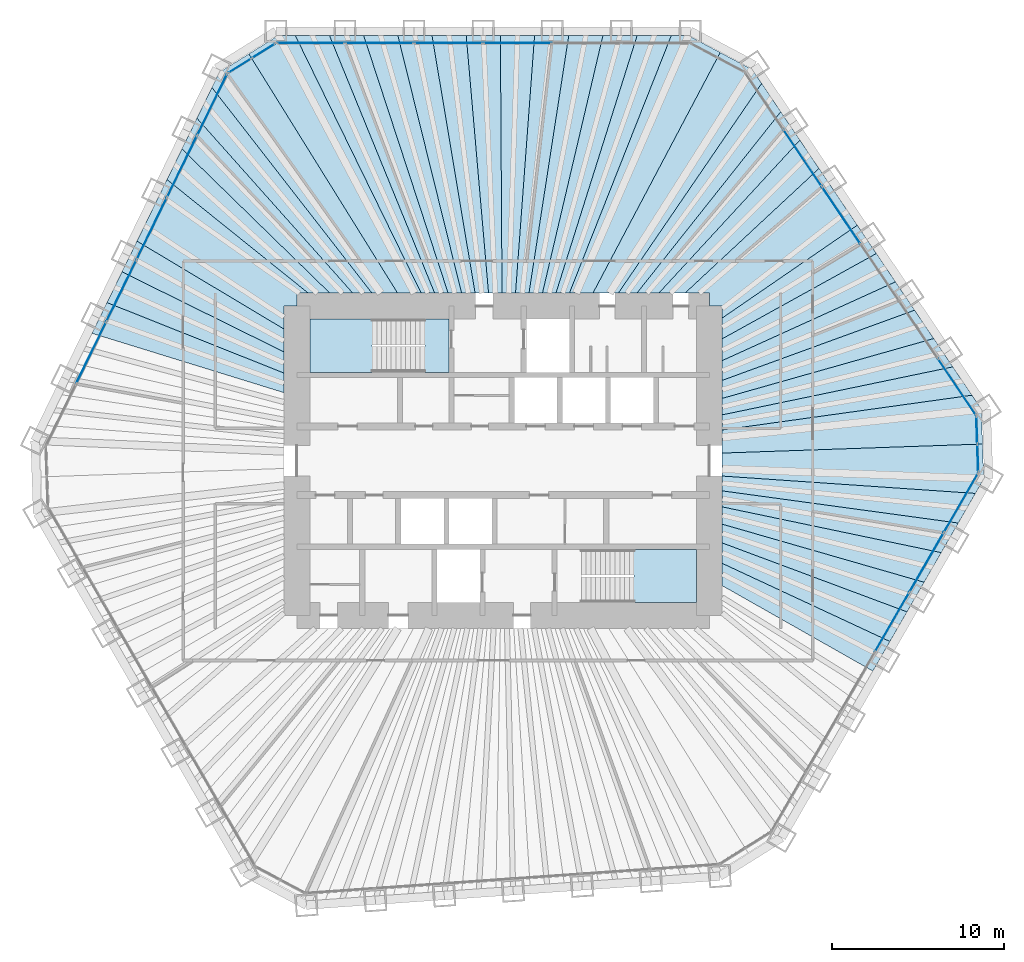
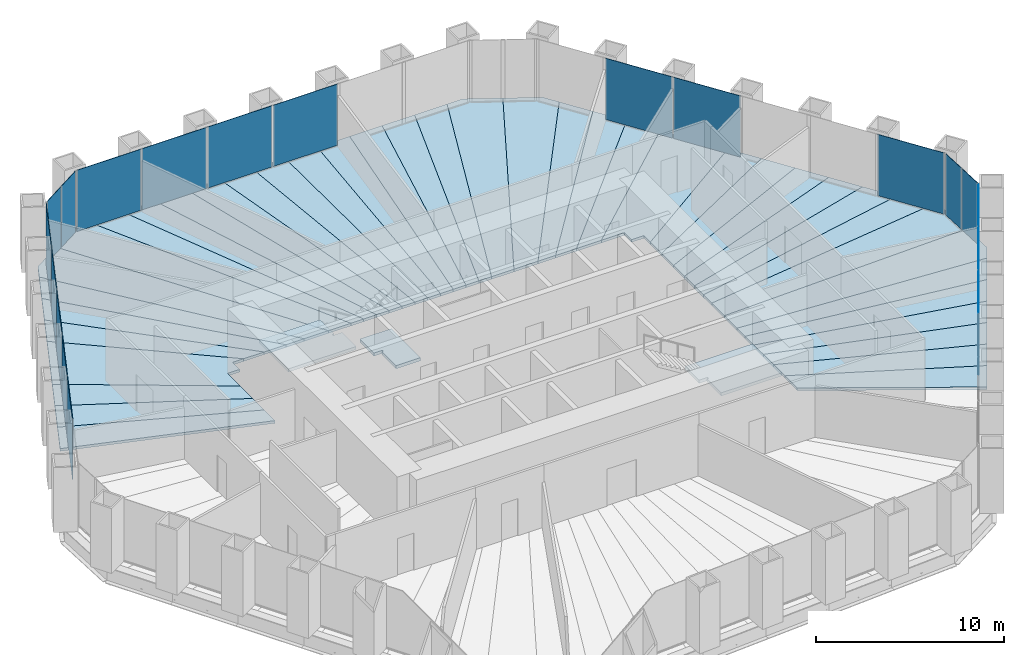
# One storey, part 9 of 13: 43 slabs, 19 plates, 8 elements without a shape of their own.
"""IFC4 building model written with IfcOpenShell, lengths in metres."""

from ifc_helpers import new_model, si_unit, direction, frame, origin, origin_2d, place, context, subcontext, project, spatial, polyline, rectangle, outline, extrude, material, layer, layer_set, type_object, element, aggregate, save


model = new_model("IFC4")

# Units and contexts
model_context = context("Model", 3, precision=1e-05, world=origin(), true_north=direction((0.0, 1.0)))
body_context = subcontext(model_context, "Body", "Model", "MODEL_VIEW")
ifc_project = project(units=[si_unit("LENGTHUNIT", "METRE"), si_unit("AREAUNIT", "SQUARE_METRE"), si_unit("VOLUMEUNIT", "CUBIC_METRE"), si_unit("PLANEANGLEUNIT", "RADIAN"), si_unit("MASSUNIT", "GRAM", prefix="KILO")], contexts=[model_context])

# Site, building, storey
site_placement = place(None, origin())
site = spatial("IfcSite", under=ifc_project, at=site_placement, CompositionType="ELEMENT")
building_placement = place(site_placement, origin())
building = spatial("IfcBuilding", under=site, at=building_placement, Name="Qingtian Harvest Tower", CompositionType="ELEMENT")
storey_placement = place(building_placement, frame((0.0, 0.0, 157.60009765625)))
storey = spatial("IfcBuildingStorey", under=building, at=storey_placement, Name="L33", CompositionType="ELEMENT", Elevation=157.60009765625)

# Slabs
ifc_material_1 = material(Name="Concrete fc' 35 MPa", Category="concrete")
ifc_layer_1 = layer(ifc_material_1, 0.169921875)
ifc_layer_set_1 = layer_set([ifc_layer_1], Name="Composite floor slab FS17 170")
slab_type_1 = type_object("IfcSlabType", Name="Composite floor slab FS17 170", PredefinedType="FLOOR", material=ifc_layer_set_1)
slab_1_placement = place(storey_placement, frame((0.0, 0.0, -0.170166015625)))
element("IfcSlab", 1, at=slab_1_placement, inside=storey, type_object=slab_type_1, Name="Floor slab L33 panel D33", PredefinedType="FLOOR", context=body_context, shape_type="SweptSolid", body=[
    extrude(outline(polyline([(12.75, -5.97021484375), (22.51220703125, -10.517578125), (21.517333984375, -12.24072265625), (12.75, -7.268798828125), (12.75, -5.97021484375)])), origin(), (0.0, 0.0, 1.0), 0.170166015625),
])
slab_2_placement = place(storey_placement, frame((0.0, 0.0, -0.170166015625)))
element("IfcSlab", 2, at=slab_2_placement, inside=storey, type_object=slab_type_1, Name="Floor slab L33 panel D34", PredefinedType="FLOOR", context=body_context, shape_type="SweptSolid", body=[
    extrude(outline(polyline([(12.75, -4.78173828125), (23.50732421875, -8.794189453125), (22.51220703125, -10.517578125), (12.75, -5.97021484375), (12.75, -4.78173828125)])), origin(), (0.0, 0.0, 1.0), 0.170166015625),
])
slab_3_placement = place(storey_placement, frame((0.0, 0.0, -0.170166015625)))
element("IfcSlab", 3, at=slab_3_placement, inside=storey, type_object=slab_type_1, Name="Floor slab L33 panel D35", PredefinedType="FLOOR", context=body_context, shape_type="SweptSolid", body=[
    extrude(outline(polyline([(12.75, -3.68994140625), (24.502197265625, -7.071044921875), (23.50732421875, -8.794189453125), (12.75, -4.78173828125), (12.75, -3.68994140625)])), origin(), (0.0, 0.0, 1.0), 0.170166015625),
])
slab_4_placement = place(storey_placement, frame((0.0, 0.0, -0.170166015625)))
element("IfcSlab", 4, at=slab_4_placement, inside=storey, type_object=slab_type_1, Name="Floor slab L33 panel D36", PredefinedType="FLOOR", context=body_context, shape_type="SweptSolid", body=[
    extrude(outline(polyline([(12.75, -2.683349609375), (25.4970703125, -5.34765625), (24.502197265625, -7.071044921875), (12.75, -3.68994140625), (12.75, -2.683349609375)])), origin(), (0.0, 0.0, 1.0), 0.170166015625),
])
slab_5_placement = place(storey_placement, frame((0.0, 0.0, -0.170166015625)))
element("IfcSlab", 5, at=slab_5_placement, inside=storey, type_object=slab_type_1, Name="Floor slab L33 panel D37", PredefinedType="FLOOR", context=body_context, shape_type="SweptSolid", body=[
    extrude(outline(polyline([(12.75, -1.752685546875), (26.4921875, -3.624267578125), (25.4970703125, -5.34765625), (12.75, -2.683349609375), (12.75, -1.752685546875)])), origin(), (0.0, 0.0, 1.0), 0.170166015625),
])
slab_6_placement = place(storey_placement, frame((0.0, 0.0, -0.170166015625)))
element("IfcSlab", 6, at=slab_6_placement, inside=storey, type_object=slab_type_1, Name="Floor slab L33 panel D38", PredefinedType="FLOOR", context=body_context, shape_type="SweptSolid", body=[
    extrude(outline(polyline([(12.75, -0.889404296875), (27.487060546875, -1.901123046875), (26.4921875, -3.624267578125), (12.75, -1.752685546875), (12.75, -0.889404296875)])), origin(), (0.0, 0.0, 1.0), 0.170166015625),
])
slab_7_placement = place(storey_placement, frame((0.0, 0.0, -0.170166015625)))
element("IfcSlab", 7, at=slab_7_placement, inside=storey, type_object=slab_type_1, Name="Floor slab L33 panel D39", PredefinedType="FLOOR", context=body_context, shape_type="SweptSolid", body=[
    extrude(outline(polyline([(12.75, -0.889404296875), (12.75, 0.447509765625), (27.90185546875, 0.974365234375), (27.972900390625, -1.059814453125), (27.487060546875, -1.901123046875), (12.75, -0.889404296875)])), origin(), (0.0, 0.0, 1.0), 0.170166015625),
])
slab_8_placement = place(storey_placement, frame((0.0, 0.0, -0.170166015625)))
element("IfcSlab", 8, at=slab_8_placement, inside=storey, type_object=slab_type_1, Name="Floor slab L33 panel D40", PredefinedType="FLOOR", context=body_context, shape_type="SweptSolid", body=[
    extrude(outline(polyline([(12.75, 0.447509765625), (12.75, 1.79052734375), (27.287353515625, 3.81396484375), (27.830810546875, 3.008544921875), (27.90185546875, 0.974365234375), (12.75, 0.447509765625)])), origin(), (0.0, 0.0, 1.0), 0.170166015625),
])
slab_9_placement = place(storey_placement, frame((0.0, 0.0, -0.170166015625)))
element("IfcSlab", 9, at=slab_9_placement, inside=storey, type_object=slab_type_1, Name="Floor slab L33 panel D41", PredefinedType="FLOOR", context=body_context, shape_type="SweptSolid", body=[
    extrude(outline(polyline([(12.75, 2.671142578125), (26.1748046875, 5.463623046875), (27.287353515625, 3.81396484375), (12.75, 1.79052734375), (12.75, 2.671142578125)])), origin(), (0.0, 0.0, 1.0), 0.170166015625),
])
slab_10_placement = place(storey_placement, frame((0.0, 0.0, -0.170166015625)))
element("IfcSlab", 10, at=slab_10_placement, inside=storey, type_object=slab_type_1, Name="Floor slab L33 panel D42", PredefinedType="FLOOR", context=body_context, shape_type="SweptSolid", body=[
    extrude(outline(polyline([(12.75, 3.6298828125), (25.06201171875, 7.11328125), (26.1748046875, 5.463623046875), (12.75, 2.671142578125), (12.75, 3.6298828125)])), origin(), (0.0, 0.0, 1.0), 0.170166015625),
])
slab_11_placement = place(storey_placement, frame((0.0, 0.0, -0.170166015625)))
element("IfcSlab", 11, at=slab_11_placement, inside=storey, type_object=slab_type_1, Name="Floor slab L33 panel D43", PredefinedType="FLOOR", context=body_context, shape_type="SweptSolid", body=[
    extrude(outline(polyline([(12.75, 4.677734375), (23.94921875, 8.762939453125), (25.06201171875, 7.11328125), (12.75, 3.6298828125), (12.75, 4.677734375)])), origin(), (0.0, 0.0, 1.0), 0.170166015625),
])
slab_12_placement = place(storey_placement, frame((0.0, 0.0, -0.170166015625)))
element("IfcSlab", 12, at=slab_12_placement, inside=storey, type_object=slab_type_1, Name="Floor slab L33 panel D44", PredefinedType="FLOOR", context=body_context, shape_type="SweptSolid", body=[
    extrude(outline(polyline([(12.75, 5.828125), (22.83642578125, 10.41259765625), (23.94921875, 8.762939453125), (12.75, 4.677734375), (12.75, 5.828125)])), origin(), (0.0, 0.0, 1.0), 0.170166015625),
])
slab_13_placement = place(storey_placement, frame((0.0, 0.0, -0.170166015625)))
element("IfcSlab", 13, at=slab_13_placement, inside=storey, type_object=slab_type_1, Name="Floor slab L33 panel D45", PredefinedType="FLOOR", context=body_context, shape_type="SweptSolid", body=[
    extrude(outline(polyline([(12.75, 7.096435546875), (21.723876953125, 12.062255859375), (22.83642578125, 10.41259765625), (12.75, 5.828125), (12.75, 7.096435546875)])), origin(), (0.0, 0.0, 1.0), 0.170166015625),
])
slab_14_placement = place(storey_placement, frame((0.0, 0.0, -0.170166015625)))
element("IfcSlab", 14, at=slab_14_placement, inside=storey, type_object=slab_type_1, Name="Floor slab L33 panel D46", PredefinedType="FLOOR", context=body_context, shape_type="SweptSolid", body=[
    extrude(outline(polyline([(12.75, 8.30615234375), (20.61328125, 13.708740234375), (21.723876953125, 12.062255859375), (12.75, 7.096435546875), (12.75, 8.30615234375)])), origin(), (0.0, 0.0, 1.0), 0.170166015625),
])
slab_15_placement = place(storey_placement, frame((0.0, 0.0, -0.170166015625)))
element("IfcSlab", 15, at=slab_15_placement, inside=storey, type_object=slab_type_1, Name="Floor slab L33 panel D48", PredefinedType="FLOOR", context=body_context, shape_type="SweptSolid", body=[
    extrude(outline(polyline([(18.38623046875, 17.010498046875), (20.61328125, 13.708740234375), (12.75, 8.30615234375), (12.75, 9.0), (12.0, 9.0), (12.0, 9.75), (10.578369140625, 9.75), (18.38623046875, 17.010498046875)])), origin(), (0.0, 0.0, 1.0), 0.170166015625),
])
slab_16_placement = place(storey_placement, frame((0.0, 0.0, -0.170166015625)))
element("IfcSlab", 16, at=slab_16_placement, inside=storey, type_object=slab_type_1, Name="Floor slab L33 panel D49", PredefinedType="FLOOR", context=body_context, shape_type="SweptSolid", body=[
    extrude(outline(polyline([(9.0556640625, 9.75), (17.2734375, 18.66015625), (18.38623046875, 17.010498046875), (10.578369140625, 9.75), (9.0556640625, 9.75)])), origin(), (0.0, 0.0, 1.0), 0.170166015625),
])
slab_17_placement = place(storey_placement, frame((0.0, 0.0, -0.170166015625)))
element("IfcSlab", 17, at=slab_17_placement, inside=storey, type_object=slab_type_1, Name="Floor slab L33 panel D50", PredefinedType="FLOOR", context=body_context, shape_type="SweptSolid", body=[
    extrude(outline(polyline([(7.781494140625, 9.75), (16.16064453125, 20.31005859375), (17.2734375, 18.66015625), (9.0556640625, 9.75), (7.781494140625, 9.75)])), origin(), (0.0, 0.0, 1.0), 0.170166015625),
])
slab_18_placement = place(storey_placement, frame((0.0, 0.0, -0.170166015625)))
element("IfcSlab", 18, at=slab_18_placement, inside=storey, type_object=slab_type_1, Name="Floor slab L33 panel D51", PredefinedType="FLOOR", context=body_context, shape_type="SweptSolid", body=[
    extrude(outline(polyline([(6.69970703125, 9.75), (15.0478515625, 21.959716796875), (16.16064453125, 20.31005859375), (7.781494140625, 9.75), (6.69970703125, 9.75)])), origin(), (0.0, 0.0, 1.0), 0.170166015625),
])
slab_19_placement = place(storey_placement, frame((0.0, 0.0, -0.170166015625)))
element("IfcSlab", 19, at=slab_19_placement, inside=storey, type_object=slab_type_1, Name="Floor slab L33 panel D52", PredefinedType="FLOOR", context=body_context, shape_type="SweptSolid", body=[
    extrude(outline(polyline([(6.69970703125, 9.75), (5.224609375, 9.75), (12.634033203125, 23.759765625), (14.504638671875, 22.765380859375), (15.0478515625, 21.959716796875), (6.69970703125, 9.75)])), origin(), (0.0, 0.0, 1.0), 0.170166015625),
])
slab_20_placement = place(storey_placement, frame((0.0, 0.0, -0.170166015625)))
element("IfcSlab", 20, at=slab_20_placement, inside=storey, type_object=slab_type_1, Name="Floor slab L33 panel D53", PredefinedType="FLOOR", context=body_context, shape_type="SweptSolid", body=[
    extrude(outline(polyline([(3.856201171875, 9.75), (9.791015625, 24.7548828125), (10.762451171875, 24.7548828125), (12.634033203125, 23.759765625), (5.224609375, 9.75), (3.856201171875, 9.75)])), origin(), (0.0, 0.0, 1.0), 0.170166015625),
])
slab_21_placement = place(storey_placement, frame((0.0, 0.0, -0.170166015625)))
element("IfcSlab", 21, at=slab_21_placement, inside=storey, type_object=slab_type_1, Name="Floor slab L33 panel D54", PredefinedType="FLOOR", context=body_context, shape_type="SweptSolid", body=[
    extrude(outline(polyline([(3.072509765625, 9.75), (7.80126953125, 24.7548828125), (9.791015625, 24.7548828125), (3.856201171875, 9.75), (3.072509765625, 9.75)])), origin(), (0.0, 0.0, 1.0), 0.170166015625),
])
slab_22_placement = place(storey_placement, frame((0.0, 0.0, -0.170166015625)))
element("IfcSlab", 22, at=slab_22_placement, inside=storey, type_object=slab_type_1, Name="Floor slab L33 panel D55", PredefinedType="FLOOR", context=body_context, shape_type="SweptSolid", body=[
    extrude(outline(polyline([(2.288818359375, 9.75), (5.811279296875, 24.7548828125), (7.80126953125, 24.7548828125), (3.072509765625, 9.75), (2.288818359375, 9.75)])), origin(), (0.0, 0.0, 1.0), 0.170166015625),
])
slab_23_placement = place(storey_placement, frame((0.0, 0.0, -0.170166015625)))
element("IfcSlab", 23, at=slab_23_placement, inside=storey, type_object=slab_type_1, Name="Floor slab L33 panel D56", PredefinedType="FLOOR", context=body_context, shape_type="SweptSolid", body=[
    extrude(outline(polyline([(1.505126953125, 9.75), (3.821533203125, 24.7548828125), (5.811279296875, 24.7548828125), (2.288818359375, 9.75), (1.505126953125, 9.75)])), origin(), (0.0, 0.0, 1.0), 0.170166015625),
])
slab_24_placement = place(storey_placement, frame((0.0, 0.0, -0.170166015625)))
element("IfcSlab", 24, at=slab_24_placement, inside=storey, type_object=slab_type_1, Name="Floor slab L33 panel D57", PredefinedType="FLOOR", context=body_context, shape_type="SweptSolid", body=[
    extrude(outline(polyline([(0.721435546875, 9.75), (1.831787109375, 24.7548828125), (3.821533203125, 24.7548828125), (1.505126953125, 9.75), (0.721435546875, 9.75)])), origin(), (0.0, 0.0, 1.0), 0.170166015625),
])
slab_25_placement = place(storey_placement, frame((0.0, 0.0, -0.170166015625)))
element("IfcSlab", 25, at=slab_25_placement, inside=storey, type_object=slab_type_1, Name="Floor slab L33 panel D58", PredefinedType="FLOOR", context=body_context, shape_type="SweptSolid", body=[
    extrude(outline(polyline([(-0.062255859375, 9.75), (-0.158203125, 24.7548828125), (1.831787109375, 24.7548828125), (0.721435546875, 9.75), (-0.062255859375, 9.75)])), origin(), (0.0, 0.0, 1.0), 0.170166015625),
])
slab_26_placement = place(storey_placement, frame((0.0, 0.0, -0.170166015625)))
element("IfcSlab", 26, at=slab_26_placement, inside=storey, type_object=slab_type_1, Name="Floor slab L33 panel D59", PredefinedType="FLOOR", context=body_context, shape_type="SweptSolid", body=[
    extrude(outline(polyline([(-0.845947265625, 9.75), (-2.14794921875, 24.7548828125), (-0.158203125, 24.7548828125), (-0.062255859375, 9.75), (-0.845947265625, 9.75)])), origin(), (0.0, 0.0, 1.0), 0.170166015625),
])
slab_27_placement = place(storey_placement, frame((0.0, 0.0, -0.170166015625)))
element("IfcSlab", 27, at=slab_27_placement, inside=storey, type_object=slab_type_1, Name="Floor slab L33 panel D60", PredefinedType="FLOOR", context=body_context, shape_type="SweptSolid", body=[
    extrude(outline(polyline([(-1.629638671875, 9.75), (-4.137939453125, 24.7548828125), (-2.14794921875, 24.7548828125), (-0.845947265625, 9.75), (-1.629638671875, 9.75)])), origin(), (0.0, 0.0, 1.0), 0.170166015625),
])
slab_28_placement = place(storey_placement, frame((0.0, 0.0, -0.170166015625)))
element("IfcSlab", 28, at=slab_28_placement, inside=storey, type_object=slab_type_1, Name="Floor slab L33 panel D61", PredefinedType="FLOOR", context=body_context, shape_type="SweptSolid", body=[
    extrude(outline(polyline([(-2.41357421875, 9.75), (-6.127685546875, 24.7548828125), (-4.137939453125, 24.7548828125), (-1.629638671875, 9.75), (-2.41357421875, 9.75)])), origin(), (0.0, 0.0, 1.0), 0.170166015625),
])
slab_29_placement = place(storey_placement, frame((0.0, 0.0, -0.170166015625)))
element("IfcSlab", 29, at=slab_29_placement, inside=storey, type_object=slab_type_1, Name="Floor slab L33 panel D62", PredefinedType="FLOOR", context=body_context, shape_type="SweptSolid", body=[
    extrude(outline(polyline([(-3.197265625, 9.75), (-8.117431640625, 24.7548828125), (-6.127685546875, 24.7548828125), (-2.41357421875, 9.75), (-3.197265625, 9.75)])), origin(), (0.0, 0.0, 1.0), 0.170166015625),
])
slab_30_placement = place(storey_placement, frame((0.0, 0.0, -0.170166015625)))
element("IfcSlab", 30, at=slab_30_placement, inside=storey, type_object=slab_type_1, Name="Floor slab L33 panel D63", PredefinedType="FLOOR", context=body_context, shape_type="SweptSolid", body=[
    extrude(outline(polyline([(-3.98095703125, 9.75), (-10.107421875, 24.7548828125), (-8.117431640625, 24.7548828125), (-3.197265625, 9.75), (-3.98095703125, 9.75)])), origin(), (0.0, 0.0, 1.0), 0.170166015625),
])
slab_31_placement = place(storey_placement, frame((0.0, 0.0, -0.170166015625)))
element("IfcSlab", 31, at=slab_31_placement, inside=storey, type_object=slab_type_1, Name="Floor slab L33 panel D64", PredefinedType="FLOOR", context=body_context, shape_type="SweptSolid", body=[
    extrude(outline(polyline([(-4.7646484375, 9.75), (-12.09716796875, 24.7548828125), (-10.107421875, 24.7548828125), (-3.98095703125, 9.75), (-4.7646484375, 9.75)])), origin(), (0.0, 0.0, 1.0), 0.170166015625),
])
slab_32_placement = place(storey_placement, frame((0.0, 0.0, -0.170166015625)))
element("IfcSlab", 32, at=slab_32_placement, inside=storey, type_object=slab_type_1, Name="Floor slab L33 panel D65", PredefinedType="FLOOR", context=body_context, shape_type="SweptSolid", body=[
    extrude(outline(polyline([(-4.7646484375, 9.75), (-6.13671875, 9.75), (-14.795166015625, 23.676025390625), (-13.068603515625, 24.7548828125), (-12.09716796875, 24.7548828125), (-4.7646484375, 9.75)])), origin(), (0.0, 0.0, 1.0), 0.170166015625),
])
slab_33_placement = place(storey_placement, frame((0.0, 0.0, -0.170166015625)))
element("IfcSlab", 33, at=slab_33_placement, inside=storey, type_object=slab_type_1, Name="Floor slab L33 panel D66", PredefinedType="FLOOR", context=body_context, shape_type="SweptSolid", body=[
    extrude(outline(polyline([(-6.13671875, 9.75), (-7.62646484375, 9.75), (-16.94677734375, 21.724609375), (-16.520751953125, 22.597900390625), (-14.795166015625, 23.676025390625), (-6.13671875, 9.75)])), origin(), (0.0, 0.0, 1.0), 0.170166015625),
])
slab_34_placement = place(storey_placement, frame((0.0, 0.0, -0.170166015625)))
element("IfcSlab", 34, at=slab_34_placement, inside=storey, type_object=slab_type_1, Name="Floor slab L33 panel D67", PredefinedType="FLOOR", context=body_context, shape_type="SweptSolid", body=[
    extrude(outline(polyline([(-8.74169921875, 9.75), (-17.819091796875, 19.93603515625), (-16.94677734375, 21.724609375), (-7.62646484375, 9.75), (-8.74169921875, 9.75)])), origin(), (0.0, 0.0, 1.0), 0.170166015625),
])
slab_35_placement = place(storey_placement, frame((0.0, 0.0, -0.170166015625)))
element("IfcSlab", 35, at=slab_35_placement, inside=storey, type_object=slab_type_1, Name="Floor slab L33 panel D68", PredefinedType="FLOOR", context=body_context, shape_type="SweptSolid", body=[
    extrude(outline(polyline([(-10.077880859375, 9.75), (-18.69140625, 18.1474609375), (-17.819091796875, 19.93603515625), (-8.74169921875, 9.75), (-10.077880859375, 9.75)])), origin(), (0.0, 0.0, 1.0), 0.170166015625),
])
slab_36_placement = place(storey_placement, frame((0.0, 0.0, -0.170166015625)))
element("IfcSlab", 36, at=slab_36_placement, inside=storey, type_object=slab_type_1, Name="Floor slab L33 panel D69", PredefinedType="FLOOR", context=body_context, shape_type="SweptSolid", body=[
    extrude(outline(polyline([(-11.329345703125, 9.75), (-19.561279296875, 16.364013671875), (-18.69140625, 18.1474609375), (-10.077880859375, 9.75), (-11.329345703125, 9.75)])), origin(), (0.0, 0.0, 1.0), 0.170166015625),
])
slab_37_placement = place(storey_placement, frame((0.0, 0.0, -0.170166015625)))
element("IfcSlab", 37, at=slab_37_placement, inside=storey, type_object=slab_type_1, Name="Floor slab L33 panel D70", PredefinedType="FLOOR", context=body_context, shape_type="SweptSolid", body=[
    extrude(outline(polyline([(-12.0, 9.0), (-12.75, 9.0), (-12.75, 7.662841796875), (-21.307861328125, 12.78271484375), (-19.561279296875, 16.364013671875), (-11.329345703125, 9.75), (-12.0, 9.75), (-12.0, 9.0)])), origin(), (0.0, 0.0, 1.0), 0.170166015625),
])
slab_38_placement = place(storey_placement, frame((0.0, 0.0, -0.170166015625)))
element("IfcSlab", 38, at=slab_38_placement, inside=storey, type_object=slab_type_1, Name="Floor slab L33 panel D72", PredefinedType="FLOOR", context=body_context, shape_type="SweptSolid", body=[
    extrude(outline(polyline([(-12.75, 6.332275390625), (-22.18017578125, 10.994384765625), (-21.307861328125, 12.78271484375), (-12.75, 7.662841796875), (-12.75, 6.332275390625)])), origin(), (0.0, 0.0, 1.0), 0.170166015625),
])
slab_39_placement = place(storey_placement, frame((0.0, 0.0, -0.170166015625)))
element("IfcSlab", 39, at=slab_39_placement, inside=storey, type_object=slab_type_1, Name="Floor slab L33 panel D73", PredefinedType="FLOOR", context=body_context, shape_type="SweptSolid", body=[
    extrude(outline(polyline([(-12.75, 5.1025390625), (-23.052490234375, 9.205810546875), (-22.18017578125, 10.994384765625), (-12.75, 6.332275390625), (-12.75, 5.1025390625)])), origin(), (0.0, 0.0, 1.0), 0.170166015625),
])
slab_40_placement = place(storey_placement, frame((0.0, 0.0, -0.170166015625)))
element("IfcSlab", 40, at=slab_40_placement, inside=storey, type_object=slab_type_1, Name="Floor slab L33 panel D74", PredefinedType="FLOOR", context=body_context, shape_type="SweptSolid", body=[
    extrude(outline(polyline([(-12.75, 3.962646484375), (-23.9248046875, 7.417236328125), (-23.052490234375, 9.205810546875), (-12.75, 5.1025390625), (-12.75, 3.962646484375)])), origin(), (0.0, 0.0, 1.0), 0.170166015625),
])

# Curtain wall, plates
ifc_material_2 = material(Name="Bronze-anodised aluminium curtain wall", Category="aluminium")
curtain_wall_type = type_object("IfcCurtainWallType", Name="Curtain wall CW4 office", PredefinedType="USERDEFINED", material=ifc_material_2)
curtain_wall_1_placement = place(storey_placement, origin())
curtain_wall_1 = element("IfcCurtainWall", 41, at=curtain_wall_1_placement, inside=storey, type_object=curtain_wall_type, Name="Curtain wall CW4 L33 N0-5", ObjectType="RECESSED CURTAIN WALL", PredefinedType="USERDEFINED")
ifc_material_3 = material(Name="Bronze-tinted laminated insulating glass", Category="glass")
ifc_layer_2 = layer(ifc_material_3, 0.030029296875)
ifc_layer_set_2 = layer_set([ifc_layer_2], Name="Glazed panel CWP tinted IGU")
plate_type = type_object("IfcPlateType", Name="Glazed panel CWP tinted IGU", PredefinedType="CURTAIN_PANEL", material=ifc_layer_set_2)
plate_1_placement = place(storey_placement, frame((-11.196044921875, 24.300048828125, 0.06494140625), z_axis=(0.0, 0.0, 1.0), x_axis=(1.0, 0.0, 0.0)))
plate_1 = element("IfcPlate", 42, at=plate_1_placement, type_object=plate_type, Name="CW4 panel 1.1", PredefinedType="CURTAIN_PANEL", context=body_context, shape_type="SweptSolid", body=[
    extrude(rectangle(XDim=3.921630859375, YDim=0.030029296875, at=origin_2d()), origin(), (0.0, 0.0, 1.0), 3.965087890625),
])
plate_2_placement = place(storey_placement, frame((-7.193115234375, 24.300048828125, 0.06494140625), z_axis=(0.0, 0.0, 1.0), x_axis=(1.0, 0.0, 0.0)))
plate_2 = element("IfcPlate", 43, at=plate_2_placement, type_object=plate_type, Name="CW4 panel 2.1", PredefinedType="CURTAIN_PANEL", context=body_context, shape_type="SweptSolid", body=[
    extrude(rectangle(XDim=3.9541015625, YDim=0.030029296875, at=origin_2d()), origin(), (0.0, 0.0, 1.0), 3.965087890625),
])
plate_3_placement = place(storey_placement, frame((-3.174072265625, 24.300048828125, 0.06494140625), z_axis=(0.0, 0.0, 1.0), x_axis=(1.0, 0.0, 0.0)))
plate_3 = element("IfcPlate", 44, at=plate_3_placement, type_object=plate_type, Name="CW4 panel 3.1", PredefinedType="CURTAIN_PANEL", context=body_context, shape_type="SweptSolid", body=[
    extrude(rectangle(XDim=3.9541015625, YDim=0.030029296875, at=origin_2d()), origin(), (0.0, 0.0, 1.0), 3.965087890625),
])
plate_4_placement = place(storey_placement, frame((0.844970703125, 24.300048828125, 0.06494140625), z_axis=(0.0, 0.0, 1.0), x_axis=(1.0, 0.0, 0.0)))
plate_4 = element("IfcPlate", 45, at=plate_4_placement, type_object=plate_type, Name="CW4 panel 4.1", PredefinedType="CURTAIN_PANEL", context=body_context, shape_type="SweptSolid", body=[
    extrude(rectangle(XDim=3.9541015625, YDim=0.030029296875, at=origin_2d()), origin(), (0.0, 0.0, 1.0), 3.965087890625),
])
aggregate(curtain_wall_1, [plate_1, plate_2, plate_3, plate_4])

curtain_wall_2_placement = place(storey_placement, origin())
curtain_wall_2 = element("IfcCurtainWall", 46, at=curtain_wall_2_placement, inside=storey, type_object=curtain_wall_type, Name="Curtain wall CW4 L33 NE0-5", ObjectType="RECESSED CURTAIN WALL", PredefinedType="USERDEFINED")
plate_5_placement = place(storey_placement, frame((17.425537109375, 17.620849609375, 0.06494140625), z_axis=(0.0, 0.0, 1.0), x_axis=(0.559192903471, -0.829037572555, 0.0)))
plate_5 = element("IfcPlate", 47, at=plate_5_placement, type_object=plate_type, Name="CW4 panel 2.1", PredefinedType="CURTAIN_PANEL", context=body_context, shape_type="SweptSolid", body=[
    extrude(rectangle(XDim=3.9541015625, YDim=0.030029296875, at=origin_2d()), origin(), (0.0, 0.0, 1.0), 3.965087890625),
])
plate_6_placement = place(storey_placement, frame((19.673095703125, 14.2890625, 0.06494140625), z_axis=(0.0, 0.0, 1.0), x_axis=(0.559192903471, -0.829037572555, 0.0)))
plate_6 = element("IfcPlate", 48, at=plate_6_placement, type_object=plate_type, Name="CW4 panel 3.1", PredefinedType="CURTAIN_PANEL", context=body_context, shape_type="SweptSolid", body=[
    extrude(rectangle(XDim=3.9541015625, YDim=0.030029296875, at=origin_2d()), origin(), (0.0, 0.0, 1.0), 3.965087890625),
])
plate_7_placement = place(storey_placement, frame((26.40625, 4.306640625, 0.06494140625), z_axis=(0.0, 0.0, 1.0), x_axis=(0.559192903471, -0.829037572555, 0.0)))
plate_7 = element("IfcPlate", 49, at=plate_7_placement, type_object=plate_type, Name="CW4 panel 6.1", PredefinedType="CURTAIN_PANEL", context=body_context, shape_type="SweptSolid", body=[
    extrude(rectangle(XDim=3.921630859375, YDim=0.030029296875, at=origin_2d()), origin(), (0.0, 0.0, 1.0), 3.965087890625),
])
aggregate(curtain_wall_2, [plate_5, plate_6, plate_7])

curtain_wall_3_placement = place(storey_placement, origin())
curtain_wall_3 = element("IfcCurtainWall", 50, at=curtain_wall_3_placement, inside=storey, type_object=curtain_wall_type, Name="Curtain wall CW4 L33 NEC", ObjectType="RECESSED CURTAIN WALL", PredefinedType="USERDEFINED")
plate_8_placement = place(storey_placement, frame((27.568603515625, 1.779052734375, 0.06494140625), z_axis=(0.0, 0.0, 1.0), x_axis=(0.034899496703, -0.999390827019, 0.0)))
plate_8 = element("IfcPlate", 51, at=plate_8_placement, type_object=plate_type, Name="CW4 panel 1.1", PredefinedType="CURTAIN_PANEL", context=body_context, shape_type="SweptSolid", body=[
    extrude(rectangle(XDim=1.56689453125, YDim=0.030029296875, at=origin_2d()), origin(), (0.0, 0.0, 1.0), 3.965087890625),
])
plate_9_placement = place(storey_placement, frame((27.625732421875, 0.148193359375, 0.06494140625), z_axis=(0.0, 0.0, 1.0), x_axis=(0.034899496703, -0.999390827019, 0.0)))
plate_9 = element("IfcPlate", 52, at=plate_9_placement, type_object=plate_type, Name="CW4 panel 2.1", PredefinedType="CURTAIN_PANEL", context=body_context, shape_type="SweptSolid", body=[
    extrude(rectangle(XDim=1.56689453125, YDim=0.030029296875, at=origin_2d()), origin(), (0.0, 0.0, 1.0), 3.965087890625),
])
aggregate(curtain_wall_3, [plate_8, plate_9])

curtain_wall_4_placement = place(storey_placement, origin())
curtain_wall_4 = element("IfcCurtainWall", 53, at=curtain_wall_4_placement, inside=storey, type_object=curtain_wall_type, Name="Curtain wall CW4 L33 SE0-5", ObjectType="RECESSED CURTAIN WALL", PredefinedType="USERDEFINED")
plate_10_placement = place(storey_placement, frame((26.642333984375, -2.4541015625, 0.06494140625), z_axis=(0.0, 0.0, 1.0), x_axis=(-0.5, -0.866025403784, 0.0)))
plate_10 = element("IfcPlate", 54, at=plate_10_placement, type_object=plate_type, Name="CW4 panel 1.1", PredefinedType="CURTAIN_PANEL", context=body_context, shape_type="SweptSolid", body=[
    extrude(rectangle(XDim=3.921630859375, YDim=0.030029296875, at=origin_2d()), origin(), (0.0, 0.0, 1.0), 3.965087890625),
])
plate_11_placement = place(storey_placement, frame((24.640869140625, -5.920654296875, 0.06494140625), z_axis=(0.0, 0.0, 1.0), x_axis=(-0.5, -0.866025403784, 0.0)))
plate_11 = element("IfcPlate", 55, at=plate_11_placement, type_object=plate_type, Name="CW4 panel 2.1", PredefinedType="CURTAIN_PANEL", context=body_context, shape_type="SweptSolid", body=[
    extrude(rectangle(XDim=3.9541015625, YDim=0.030029296875, at=origin_2d()), origin(), (0.0, 0.0, 1.0), 3.965087890625),
])
plate_12_placement = place(storey_placement, frame((22.63134765625, -9.401123046875, 0.06494140625), z_axis=(0.0, 0.0, 1.0), x_axis=(-0.5, -0.866025403784, 0.0)))
plate_12 = element("IfcPlate", 56, at=plate_12_placement, type_object=plate_type, Name="CW4 panel 3.1", PredefinedType="CURTAIN_PANEL", context=body_context, shape_type="SweptSolid", body=[
    extrude(rectangle(XDim=3.9541015625, YDim=0.030029296875, at=origin_2d()), origin(), (0.0, 0.0, 1.0), 3.965087890625),
])
aggregate(curtain_wall_4, [plate_10, plate_11, plate_12])

curtain_wall_5_placement = place(storey_placement, origin())
curtain_wall_5 = element("IfcCurtainWall", 57, at=curtain_wall_5_placement, inside=storey, type_object=curtain_wall_type, Name="Curtain wall CW4 L33 NW0-5", ObjectType="RECESSED CURTAIN WALL", PredefinedType="USERDEFINED")
plate_13_placement = place(storey_placement, frame((-23.972900390625, 6.280517578125, 0.06494140625), z_axis=(0.0, 0.0, 1.0), x_axis=(0.438371146789, 0.898794046299, 0.0)))
plate_13 = element("IfcPlate", 58, at=plate_13_placement, type_object=plate_type, Name="CW4 panel 2.1", PredefinedType="CURTAIN_PANEL", context=body_context, shape_type="SweptSolid", body=[
    extrude(rectangle(XDim=3.9541015625, YDim=0.030029296875, at=origin_2d()), origin(), (0.0, 0.0, 1.0), 3.965087890625),
])
plate_14_placement = place(storey_placement, frame((-22.211181640625, 9.892822265625, 0.06494140625), z_axis=(0.0, 0.0, 1.0), x_axis=(0.438371146789, 0.898794046299, 0.0)))
plate_14 = element("IfcPlate", 59, at=plate_14_placement, type_object=plate_type, Name="CW4 panel 3.1", PredefinedType="CURTAIN_PANEL", context=body_context, shape_type="SweptSolid", body=[
    extrude(rectangle(XDim=3.9541015625, YDim=0.030029296875, at=origin_2d()), origin(), (0.0, 0.0, 1.0), 3.965087890625),
])
plate_15_placement = place(storey_placement, frame((-20.44921875, 13.505126953125, 0.06494140625), z_axis=(0.0, 0.0, 1.0), x_axis=(0.438371146789, 0.898794046299, 0.0)))
plate_15 = element("IfcPlate", 60, at=plate_15_placement, type_object=plate_type, Name="CW4 panel 4.1", PredefinedType="CURTAIN_PANEL", context=body_context, shape_type="SweptSolid", body=[
    extrude(rectangle(XDim=3.9541015625, YDim=0.030029296875, at=origin_2d()), origin(), (0.0, 0.0, 1.0), 3.965087890625),
])
plate_16_placement = place(storey_placement, frame((-18.6875, 17.117431640625, 0.06494140625), z_axis=(0.0, 0.0, 1.0), x_axis=(0.438371146789, 0.898794046299, 0.0)))
plate_16 = element("IfcPlate", 61, at=plate_16_placement, type_object=plate_type, Name="CW4 panel 5.1", PredefinedType="CURTAIN_PANEL", context=body_context, shape_type="SweptSolid", body=[
    extrude(rectangle(XDim=3.9541015625, YDim=0.030029296875, at=origin_2d()), origin(), (0.0, 0.0, 1.0), 3.965087890625),
])
plate_17_placement = place(storey_placement, frame((-16.9326171875, 20.71533203125, 0.06494140625), z_axis=(0.0, 0.0, 1.0), x_axis=(0.438371146789, 0.898794046299, 0.0)))
plate_17 = element("IfcPlate", 62, at=plate_17_placement, type_object=plate_type, Name="CW4 panel 6.1", PredefinedType="CURTAIN_PANEL", context=body_context, shape_type="SweptSolid", body=[
    extrude(rectangle(XDim=3.921630859375, YDim=0.030029296875, at=origin_2d()), origin(), (0.0, 0.0, 1.0), 3.965087890625),
])
aggregate(curtain_wall_5, [plate_13, plate_14, plate_15, plate_16, plate_17])

curtain_wall_6_placement = place(storey_placement, origin())
curtain_wall_6 = element("IfcCurtainWall", 63, at=curtain_wall_6_placement, inside=storey, type_object=curtain_wall_type, Name="Curtain wall CW4 L33 NWC", ObjectType="RECESSED CURTAIN WALL", PredefinedType="USERDEFINED")
plate_18_placement = place(storey_placement, frame((-15.3251953125, 22.985595703125, 0.06494140625), z_axis=(0.0, 0.0, 1.0), x_axis=(0.848048096156, 0.529919264233, 0.0)))
plate_18 = element("IfcPlate", 64, at=plate_18_placement, type_object=plate_type, Name="CW4 panel 1.1", PredefinedType="CURTAIN_PANEL", context=body_context, shape_type="SweptSolid", body=[
    extrude(rectangle(XDim=1.56689453125, YDim=0.030029296875, at=origin_2d()), origin(), (0.0, 0.0, 1.0), 3.965087890625),
])
plate_19_placement = place(storey_placement, frame((-13.941162109375, 23.850341796875, 0.06494140625), z_axis=(0.0, 0.0, 1.0), x_axis=(0.848048096156, 0.529919264233, 0.0)))
plate_19 = element("IfcPlate", 65, at=plate_19_placement, type_object=plate_type, Name="CW4 panel 2.1", PredefinedType="CURTAIN_PANEL", context=body_context, shape_type="SweptSolid", body=[
    extrude(rectangle(XDim=1.56689453125, YDim=0.030029296875, at=origin_2d()), origin(), (0.0, 0.0, 1.0), 3.965087890625),
])
aggregate(curtain_wall_6, [plate_18, plate_19])

# Stair, slabs
ifc_material_4 = material(Name="Concrete fc' 35 MPa", Category="concrete")
stair_type = type_object("IfcStairType", Name="Special stair ST3 4200", PredefinedType="HALF_TURN_STAIR", material=ifc_material_4)
stair_1_placement = place(storey_placement, origin())
stair_1 = element("IfcStair", 66, at=stair_1_placement, inside=storey, type_object=stair_type, Name="Special stair S1 L33", PredefinedType="HALF_TURN_STAIR")
ifc_material_5 = material(Name="Concrete fc' 35 MPa", Category="concrete")
ifc_layer_3 = layer(ifc_material_5, 0.199951171875)
ifc_layer_set_3 = layer_set([ifc_layer_3], Name="Stair landing SL2 200")
slab_type_2 = type_object("IfcSlabType", Name="Stair landing SL2 200", PredefinedType="LANDING", material=ifc_layer_set_3)
slab_41_placement = place(storey_placement, frame((0.0, 0.0, -0.2001953125)))
slab_41 = element("IfcSlab", 67, at=slab_41_placement, type_object=slab_type_2, Name="S1 landing 1", PredefinedType="LANDING", context=body_context, shape_type="SweptSolid", body=[
    extrude(outline(polyline([(-4.64990234375, 5.14990234375), (-4.64990234375, 6.64990234375), (-4.550048828125, 6.64990234375), (-4.550048828125, 6.75), (-5.0849609375, 6.75), (-5.0849609375, 8.25), (-3.14990234375, 8.25), (-3.14990234375, 5.14990234375), (-4.64990234375, 5.14990234375)])), origin(), (0.0, 0.0, 1.0), 0.2001953125),
])
slab_42_placement = place(storey_placement, frame((0.0, 0.0, 1.89990234375)))
slab_42 = element("IfcSlab", 68, at=slab_42_placement, type_object=slab_type_2, Name="S1 landing 2", PredefinedType="LANDING", context=body_context, shape_type="SweptSolid", body=[
    extrude(outline(polyline([(-7.094970703125, 5.14990234375), (-11.25, 5.14990234375), (-11.25, 8.25), (-7.530029296875, 8.25), (-7.530029296875, 6.75), (-7.6298828125, 6.75), (-7.6298828125, 6.64990234375), (-7.094970703125, 6.64990234375), (-7.094970703125, 5.14990234375)])), origin(), (0.0, 0.0, 1.0), 0.199951171875),
])
aggregate(stair_1, [slab_41, slab_42])

# Stair, slab
stair_2_placement = place(storey_placement, origin())
stair_2 = element("IfcStair", 69, at=stair_2_placement, inside=storey, type_object=stair_type, Name="Special stair S2 L33", PredefinedType="HALF_TURN_STAIR")
slab_43_placement = place(storey_placement, frame((0.0, 0.0, 1.89990234375)))
slab_43 = element("IfcSlab", 70, at=slab_43_placement, type_object=slab_type_2, Name="S2 landing 2", PredefinedType="LANDING", context=body_context, shape_type="SweptSolid", body=[
    extrude(outline(polyline([(7.530029296875, -8.25), (7.530029296875, -6.75), (7.6298828125, -6.75), (7.6298828125, -6.64990234375), (7.094970703125, -6.64990234375), (7.094970703125, -5.14990234375), (11.25, -5.14990234375), (11.25, -8.25), (7.530029296875, -8.25)])), origin(), (0.0, 0.0, 1.0), 0.199951171875),
])
aggregate(stair_2, [slab_43])

save(model, "model.ifc")
